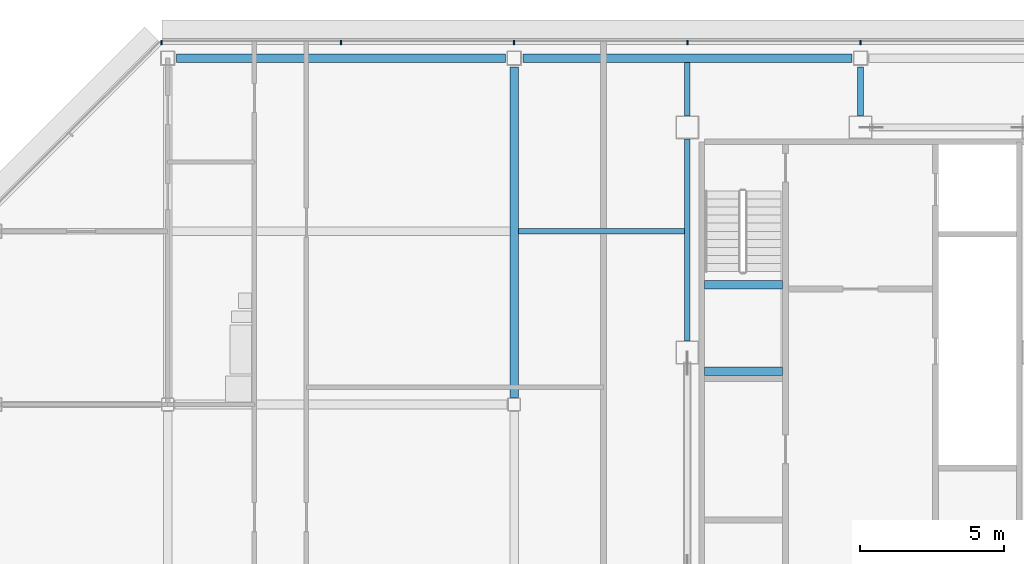
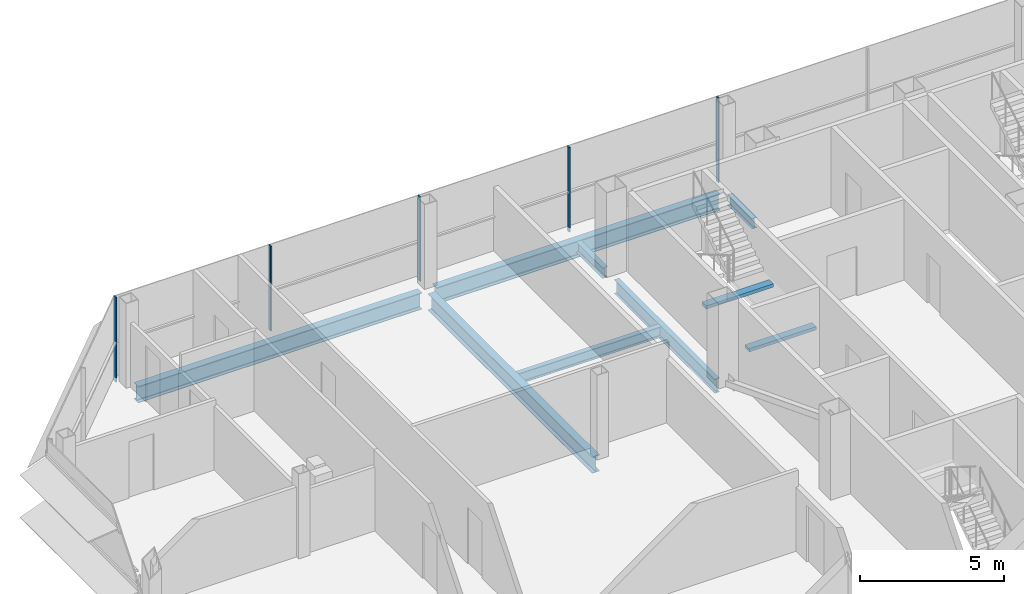
# One storey, part 14 of 28: 9 beams, 5 members, 1 element without a shape of its own.
"""IFC4 building model written with IfcOpenShell, lengths in metres."""

from ifc_helpers import new_model, si_unit, direction, frame, origin, origin_2d, place, context, subcontext, project, spatial, rectangle, i_section, extrude, material, material_profile, profile_set, type_object, element, aggregate, save


model = new_model("IFC4")

# Units and contexts
model_context = context("Model", 3, precision=1e-05, world=origin(), true_north=direction((0.0, 1.0)))
body_context = subcontext(model_context, "Body", "Model", "MODEL_VIEW")
ifc_project = project(units=[si_unit("LENGTHUNIT", "METRE"), si_unit("AREAUNIT", "SQUARE_METRE"), si_unit("VOLUMEUNIT", "CUBIC_METRE"), si_unit("PLANEANGLEUNIT", "RADIAN"), si_unit("MASSUNIT", "GRAM", prefix="KILO")], contexts=[model_context])

# Site, building, storey
site_placement = place(None, origin())
site = spatial("IfcSite", under=ifc_project, at=site_placement, CompositionType="ELEMENT")
building_placement = place(site_placement, origin())
building = spatial("IfcBuilding", under=site, at=building_placement, Name="Sorahane Residences", CompositionType="ELEMENT")
storey_placement = place(building_placement, frame((0.0, 0.0, 301.60009765625)))
storey = spatial("IfcBuildingStorey", under=building, at=storey_placement, Name="L71", CompositionType="ELEMENT", Elevation=301.60009765625)

# Curtain wall, members
ifc_material_1 = material(Name="Dark low-e glass and black anodised aluminium", Category="aluminium")
curtain_wall_type = type_object("IfcCurtainWallType", Name="Curtain wall CW-1 Typical unitised wall", PredefinedType="NOTDEFINED", material=ifc_material_1)
curtain_wall_placement = place(storey_placement, origin())
curtain_wall = element("IfcCurtainWall", 1, at=curtain_wall_placement, inside=storey, type_object=curtain_wall_type, Name="CW-1 curtain wall L71 N1", PredefinedType="NOTDEFINED")
ifc_material_2 = material(Name="Black anodised aluminium", Category="aluminium")
ifc_material_profile_1 = material_profile(ifc_material_2, rectangle(XDim=0.159912109375, YDim=0.050048828125, at=origin_2d()), Name="Curtain wall mullion CW-1 black anodised aluminium 50x160")
ifc_profile_set_1 = profile_set([ifc_material_profile_1], Name="Black anodised aluminium")
member_type = type_object("IfcMemberType", Name="Curtain wall mullion CW-1 black anodised aluminium 50x160", PredefinedType="MULLION", material=ifc_profile_set_1)
member_1_placement = place(storey_placement, frame((12.0, 48.5400390625, -0.18017578125), z_axis=(0.0, 0.0, 1.0), x_axis=(0.0, 1.0, 0.0)))
member_1 = element("IfcMember", 2, at=member_1_placement, type_object=member_type, Name="CW-1 mullion L71 N1.6", PredefinedType="MULLION", context=body_context, shape_type="SweptSolid", body=[
    extrude(rectangle(XDim=0.159912109375, YDim=0.050048828125, at=origin_2d()), origin(), (0.0, 0.0, 1.0), 3.60009765625),
])
member_2_placement = place(storey_placement, frame((6.0, 48.5400390625, -0.18017578125), z_axis=(0.0, 0.0, 1.0), x_axis=(0.0, 1.0, 0.0)))
member_2 = element("IfcMember", 3, at=member_2_placement, type_object=member_type, Name="CW-1 mullion L71 N1.7", PredefinedType="MULLION", context=body_context, shape_type="SweptSolid", body=[
    extrude(rectangle(XDim=0.159912109375, YDim=0.050048828125, at=origin_2d()), origin(), (0.0, 0.0, 1.0), 3.60009765625),
])
member_3_placement = place(storey_placement, frame((0.0, 48.5400390625, -0.18017578125), z_axis=(0.0, 0.0, 1.0), x_axis=(0.0, 1.0, 0.0)))
member_3 = element("IfcMember", 4, at=member_3_placement, type_object=member_type, Name="CW-1 mullion L71 N1.8", PredefinedType="MULLION", context=body_context, shape_type="SweptSolid", body=[
    extrude(rectangle(XDim=0.159912109375, YDim=0.050048828125, at=origin_2d()), origin(), (0.0, 0.0, 1.0), 3.60009765625),
])
member_4_placement = place(storey_placement, frame((-6.0, 48.5400390625, -0.18017578125), z_axis=(0.0, 0.0, 1.0), x_axis=(0.0, 1.0, 0.0)))
member_4 = element("IfcMember", 5, at=member_4_placement, type_object=member_type, Name="CW-1 mullion L71 N1.9", PredefinedType="MULLION", context=body_context, shape_type="SweptSolid", body=[
    extrude(rectangle(XDim=0.159912109375, YDim=0.050048828125, at=origin_2d()), origin(), (0.0, 0.0, 1.0), 3.60009765625),
])
member_5_placement = place(storey_placement, frame((-12.2236328125, 48.5400390625, -0.18017578125), z_axis=(0.0, 0.0, 1.0), x_axis=(0.0, 1.0, 0.0)))
member_5 = element("IfcMember", 6, at=member_5_placement, type_object=member_type, Name="CW-1 mullion L71 N1.10", PredefinedType="MULLION", context=body_context, shape_type="SweptSolid", body=[
    extrude(rectangle(XDim=0.159912109375, YDim=0.050048828125, at=origin_2d()), origin(), (0.0, 0.0, 1.0), 3.60009765625),
])
aggregate(curtain_wall, [member_1, member_2, member_3, member_4, member_5])

# Beams
ifc_material_3 = material(Name="Concrete C40", Category="concrete")
ifc_material_profile_2 = material_profile(ifc_material_3, rectangle(XDim=0.300048828125, YDim=0.139892578125, at=origin_2d()), Name="300x140")
ifc_profile_set_2 = profile_set([ifc_material_profile_2], Name="Concrete C40")
beam_type_1 = type_object("IfcBeamType", Name="RC landing beam 300 x 140 Concrete C40", PredefinedType="BEAM", material=ifc_profile_set_2)
for number, where, z_axis, x_axis, name in (
    (7, (6.60009765625, 37.14990234375, 1.52978515625), (1.0, 0.0, 0.0), (0.0, 1.0, 0.0), "Landing beam"),
    (8, (6.60009765625, 40.14990234375, 1.52978515625), (1.0, 0.0, 0.0), (0.0, 1.0, 0.0), "Landing beam"),
):
    element("IfcBeam", number, at=place(storey_placement, frame(where, z_axis=z_axis, x_axis=x_axis)), inside=storey, type_object=beam_type_1, Name=name, PredefinedType="BEAM", context=body_context, shape_type="SweptSolid", body=[
        extrude(rectangle(XDim=0.300048828125, YDim=0.139892578125, at=origin_2d()), origin(), (0.0, 0.0, 1.0), 2.699951171875),
    ])
ifc_material_4 = material(Name="Steel Q355B", Category="steel")
ifc_material_profile_3 = material_profile(ifc_material_4, i_section(OverallWidth=0.199951171875, OverallDepth=0.449951171875, WebThickness=0.009033203125, FlangeThickness=0.013916015625, FilletRadius=0.02001953125, at=origin_2d()), Name="HN 450x200x9x14")
ifc_profile_set_3 = profile_set([ifc_material_profile_3], Name="Steel Q355B")
beam_type_2 = type_object("IfcBeamType", Name="Steel floor beam HN 450x200x9x14 Q355B", PredefinedType="BEAM", material=ifc_profile_set_3)
beam_1_placement = place(storey_placement, frame((6.0, 46.0, -0.405029296875), z_axis=(0.0, 1.0, 0.0), x_axis=(-1.0, 0.0, 0.0)))
element("IfcBeam", 9, at=beam_1_placement, inside=storey, type_object=beam_type_2, Name="Beam L71 037", PredefinedType="BEAM", context=body_context, shape_type="SweptSolid", body=[
    extrude(i_section(OverallWidth=0.199951171875, OverallDepth=0.449951171875, WebThickness=0.009033203125, FlangeThickness=0.013916015625, FilletRadius=0.02001953125, at=origin_2d()), origin(), (0.0, 0.0, 1.0), 1.85009765625),
])
beam_2_placement = place(storey_placement, frame((12.0, 46.0, -0.405029296875), z_axis=(0.0, 1.0, 0.0), x_axis=(-1.0, 0.0, 0.0)))
element("IfcBeam", 10, at=beam_2_placement, inside=storey, type_object=beam_type_2, Name="Beam L71 039", PredefinedType="BEAM", context=body_context, shape_type="SweptSolid", body=[
    extrude(i_section(OverallWidth=0.199951171875, OverallDepth=0.449951171875, WebThickness=0.009033203125, FlangeThickness=0.013916015625, FilletRadius=0.02001953125, at=origin_2d()), origin(), (0.0, 0.0, 1.0), 1.699951171875),
])
beam_3_placement = place(storey_placement, frame((0.14990234375, 42.0, -0.405029296875), z_axis=(1.0, 0.0, 0.0), x_axis=(0.0, 1.0, 0.0)))
element("IfcBeam", 11, at=beam_3_placement, inside=storey, type_object=beam_type_2, Name="Beam L71 089", PredefinedType="BEAM", context=body_context, shape_type="SweptSolid", body=[
    extrude(i_section(OverallWidth=0.199951171875, OverallDepth=0.449951171875, WebThickness=0.009033203125, FlangeThickness=0.013916015625, FilletRadius=0.02001953125, at=origin_2d()), origin(), (0.0, 0.0, 1.0), 5.75),
])
ifc_material_5 = material(Name="Steel Q355B", Category="steel")
ifc_material_profile_4 = material_profile(ifc_material_5, i_section(OverallWidth=0.199951171875, OverallDepth=0.60009765625, WebThickness=0.010986328125, FlangeThickness=0.01708984375, FilletRadius=0.02392578125, at=origin_2d()), Name="HN 600x200x11x17")
ifc_profile_set_4 = profile_set([ifc_material_profile_4], Name="Steel Q355B")
beam_type_3 = type_object("IfcBeamType", Name="Steel floor beam HN 600x200x11x17 Q355B", PredefinedType="BEAM", material=ifc_profile_set_4)
beam_4_placement = place(storey_placement, frame((6.0, 38.199951171875, -0.47998046875), z_axis=(0.0, 1.0, 0.0), x_axis=(-1.0, 0.0, 0.0)))
element("IfcBeam", 12, at=beam_4_placement, inside=storey, type_object=beam_type_3, Name="Beam L71 036", PredefinedType="BEAM", context=body_context, shape_type="SweptSolid", body=[
    extrude(i_section(OverallWidth=0.199951171875, OverallDepth=0.60009765625, WebThickness=0.010986328125, FlangeThickness=0.01708984375, FilletRadius=0.02392578125, at=origin_2d()), origin(), (0.0, 0.0, 1.0), 7.0),
])
ifc_material_6 = material(Name="Steel Q355B", Category="steel")
ifc_material_profile_5 = material_profile(ifc_material_6, i_section(OverallWidth=0.300048828125, OverallDepth=0.699951171875, WebThickness=0.012939453125, FlangeThickness=0.02392578125, FilletRadius=0.028076171875, at=origin_2d()), Name="HN 700x300x13x24")
ifc_profile_set_5 = profile_set([ifc_material_profile_5], Name="Steel Q355B")
beam_type_4 = type_object("IfcBeamType", Name="Steel floor beam HN 700x300x13x24 Q355B", PredefinedType="BEAM", material=ifc_profile_set_5)
for number, where, z_axis, x_axis, name in (
    (13, (-11.699951171875, 48.0, -0.530029296875), (1.0, 0.0, 0.0), (0.0, 1.0, 0.0), "Beam L71 015"),
    (14, (0.300048828125, 48.0, -0.530029296875), (1.0, 0.0, 0.0), (0.0, 1.0, 0.0), "Beam L71 016"),
):
    element("IfcBeam", number, at=place(storey_placement, frame(where, z_axis=z_axis, x_axis=x_axis)), inside=storey, type_object=beam_type_4, Name=name, PredefinedType="BEAM", context=body_context, shape_type="SweptSolid", body=[
        extrude(i_section(OverallWidth=0.300048828125, OverallDepth=0.699951171875, WebThickness=0.012939453125, FlangeThickness=0.02392578125, FilletRadius=0.028076171875, at=origin_2d()), origin(), (0.0, 0.0, 1.0), 11.39990234375),
    ])
beam_5_placement = place(storey_placement, frame((0.0, 36.25, -0.530029296875), z_axis=(0.0, 1.0, 0.0), x_axis=(-1.0, 0.0, 0.0)))
element("IfcBeam", 15, at=beam_5_placement, inside=storey, type_object=beam_type_4, Name="Beam L71 031", PredefinedType="BEAM", context=body_context, shape_type="SweptSolid", body=[
    extrude(i_section(OverallWidth=0.300048828125, OverallDepth=0.699951171875, WebThickness=0.012939453125, FlangeThickness=0.02392578125, FilletRadius=0.028076171875, at=origin_2d()), origin(), (0.0, 0.0, 1.0), 11.449951171875),
])

save(model, "model.ifc")
